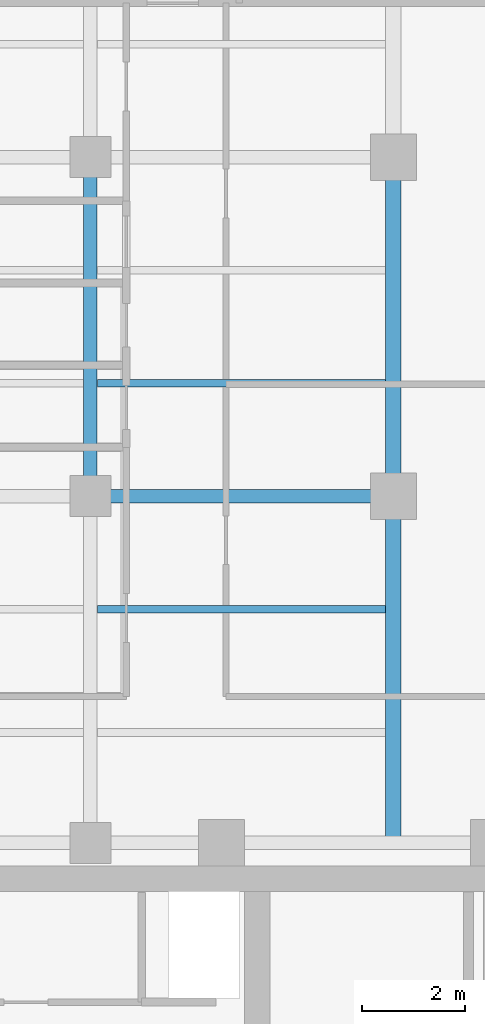
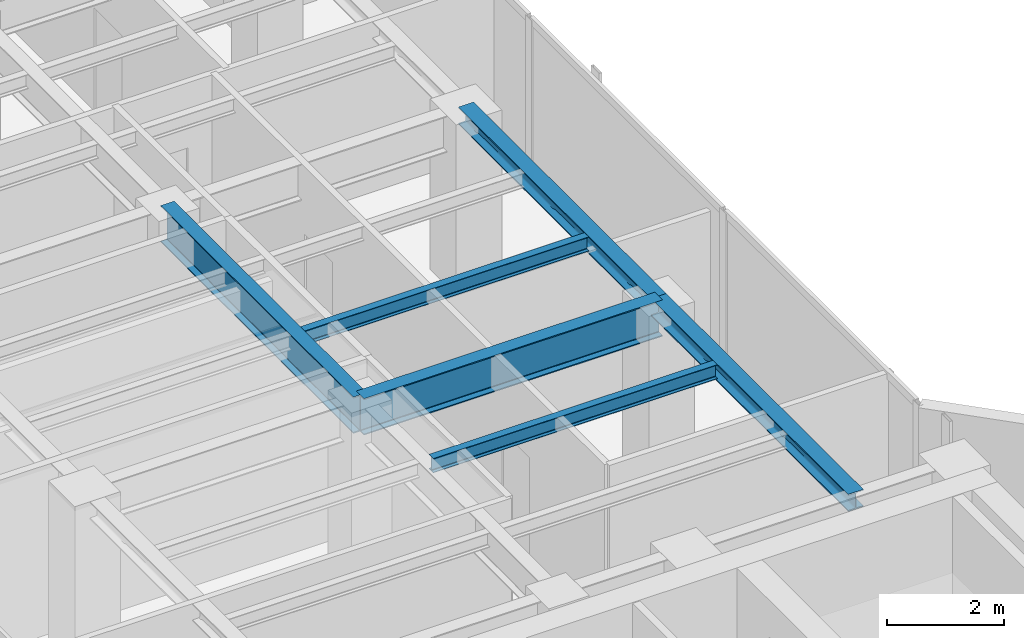
# One storey, part 9 of 23: 6 beams.
"""IFC4 building model written with IfcOpenShell, lengths in metres."""

from ifc_helpers import new_model, si_unit, direction, frame, origin, origin_2d, place, context, subcontext, project, spatial, i_section, extrude, material, material_profile, profile_set, type_object, element, save


model = new_model("IFC4")

# Units and contexts
model_context = context("Model", 3, precision=1e-05, world=origin(), true_north=direction((0.0, 1.0)))
body_context = subcontext(model_context, "Body", "Model", "MODEL_VIEW")
ifc_project = project(units=[si_unit("LENGTHUNIT", "METRE"), si_unit("AREAUNIT", "SQUARE_METRE"), si_unit("VOLUMEUNIT", "CUBIC_METRE"), si_unit("PLANEANGLEUNIT", "RADIAN"), si_unit("MASSUNIT", "GRAM", prefix="KILO")], contexts=[model_context])

# Site, building, storey
site_placement = place(None, origin())
site = spatial("IfcSite", under=ifc_project, at=site_placement, CompositionType="ELEMENT")
building_placement = place(site_placement, origin())
building = spatial("IfcBuilding", under=site, at=building_placement, Name="Kolvaren Waterfront Exchange", CompositionType="ELEMENT")
storey_placement = place(building_placement, frame((0.0, 0.0, 297.0)))
storey = spatial("IfcBuildingStorey", under=building, at=storey_placement, Name="L76", CompositionType="ELEMENT", Elevation=297.0)

# Beams
ifc_material = material(Name="Steel S355", Category="steel")
ifc_material_profile_1 = material_profile(ifc_material, i_section(OverallWidth=0.300048828125, OverallDepth=0.360107421875, WebThickness=0.012451171875, FlangeThickness=0.0224609375, FilletRadius=0.027099609375, at=origin_2d()), Name="HEB360")
ifc_profile_set_1 = profile_set([ifc_material_profile_1], Name="Steel S355")
beam_type_1 = type_object("IfcBeamType", Name="STR-BM-HEB360", PredefinedType="SPANDREL", material=ifc_profile_set_1)
beam_1_placement = place(storey_placement, frame((18.800048828125, 24.449951171875, 3.3798828125), z_axis=(0.0, 1.0, 0.0), x_axis=(-1.0, 0.0, 0.0)))
element("IfcBeam", 1, at=beam_1_placement, inside=storey, type_object=beam_type_1, Name="L76 north-arm edge beam 1", PredefinedType="SPANDREL", context=body_context, shape_type="SweptSolid", body=[
    extrude(i_section(OverallWidth=0.300048828125, OverallDepth=0.360107421875, WebThickness=0.012451171875, FlangeThickness=0.0224609375, FilletRadius=0.027099609375, at=origin_2d()), origin(), (0.0, 0.0, 1.0), 6.75),
])
beam_2_placement = place(storey_placement, frame((18.800048828125, 31.199951171875, 3.3798828125), z_axis=(0.0, 1.0, 0.0), x_axis=(-1.0, 0.0, 0.0)))
element("IfcBeam", 2, at=beam_2_placement, inside=storey, type_object=beam_type_1, Name="L76 north-arm edge beam 2", PredefinedType="SPANDREL", context=body_context, shape_type="SweptSolid", body=[
    extrude(i_section(OverallWidth=0.300048828125, OverallDepth=0.360107421875, WebThickness=0.012451171875, FlangeThickness=0.0224609375, FilletRadius=0.027099609375, at=origin_2d()), origin(), (0.0, 0.0, 1.0), 6.60009765625),
])
ifc_material_profile_2 = material_profile(ifc_material, i_section(OverallWidth=0.14990234375, OverallDepth=0.300048828125, WebThickness=0.007080078125, FlangeThickness=0.0107421875, FilletRadius=0.014892578125, at=origin_2d()), Name="IPE300")
ifc_profile_set_2 = profile_set([ifc_material_profile_2], Name="Steel S355")
beam_type_2 = type_object("IfcBeamType", Name="STR-BM-IPE300", PredefinedType="JOIST", material=ifc_profile_set_2)
for number, where, z_axis, x_axis, name in (
    (3, (13.035400390625, 29.0, 3.409912109375), (1.0, 0.0, 0.0), (0.0, 1.0, 0.0), "L76 north-arm composite joist 2B"),
    (4, (13.035400390625, 33.39990234375, 3.409912109375), (1.0, 0.0, 0.0), (0.0, 1.0, 0.0), "L76 north-arm composite joist 3B"),
):
    element("IfcBeam", number, at=place(storey_placement, frame(where, z_axis=z_axis, x_axis=x_axis)), inside=storey, type_object=beam_type_2, Name=name, PredefinedType="JOIST", context=body_context, shape_type="SweptSolid", body=[
        extrude(i_section(OverallWidth=0.14990234375, OverallDepth=0.300048828125, WebThickness=0.007080078125, FlangeThickness=0.0107421875, FilletRadius=0.014892578125, at=origin_2d()), origin(), (0.0, 0.0, 1.0), 5.612548828125),
    ])
ifc_material_profile_3 = material_profile(ifc_material, i_section(OverallWidth=0.26708984375, OverallDepth=0.761962890625, WebThickness=0.014404296875, FlangeThickness=0.021484375, FilletRadius=0.01708984375, at=origin_2d()), Name="IPE750x173")
ifc_profile_set_3 = profile_set([ifc_material_profile_3], Name="Steel S355")
beam_type_3 = type_object("IfcBeamType", Name="STR-BM-IPE750", PredefinedType="BEAM", material=ifc_profile_set_3)
beam_3_placement = place(storey_placement, frame((12.89990234375, 31.199951171875, 3.178955078125), z_axis=(1.0, 0.0, 0.0), x_axis=(0.0, 1.0, 0.0)))
element("IfcBeam", 5, at=beam_3_placement, inside=storey, type_object=beam_type_3, Name="L76 north-arm girder 2B", PredefinedType="BEAM", context=body_context, shape_type="SweptSolid", body=[
    extrude(i_section(OverallWidth=0.26708984375, OverallDepth=0.761962890625, WebThickness=0.014404296875, FlangeThickness=0.021484375, FilletRadius=0.01708984375, at=origin_2d()), origin(), (0.0, 0.0, 1.0), 5.900146484375),
])
beam_4_placement = place(storey_placement, frame((12.89990234375, 31.199951171875, 3.178955078125), z_axis=(0.0, 1.0, 0.0), x_axis=(-1.0, 0.0, 0.0)))
element("IfcBeam", 6, at=beam_4_placement, inside=storey, type_object=beam_type_3, Name="L76 north-arm edge beam 2", PredefinedType="BEAM", context=body_context, shape_type="SweptSolid", body=[
    extrude(i_section(OverallWidth=0.26708984375, OverallDepth=0.761962890625, WebThickness=0.014404296875, FlangeThickness=0.021484375, FilletRadius=0.01708984375, at=origin_2d()), origin(), (0.0, 0.0, 1.0), 6.60009765625),
])

save(model, "model.ifc")
